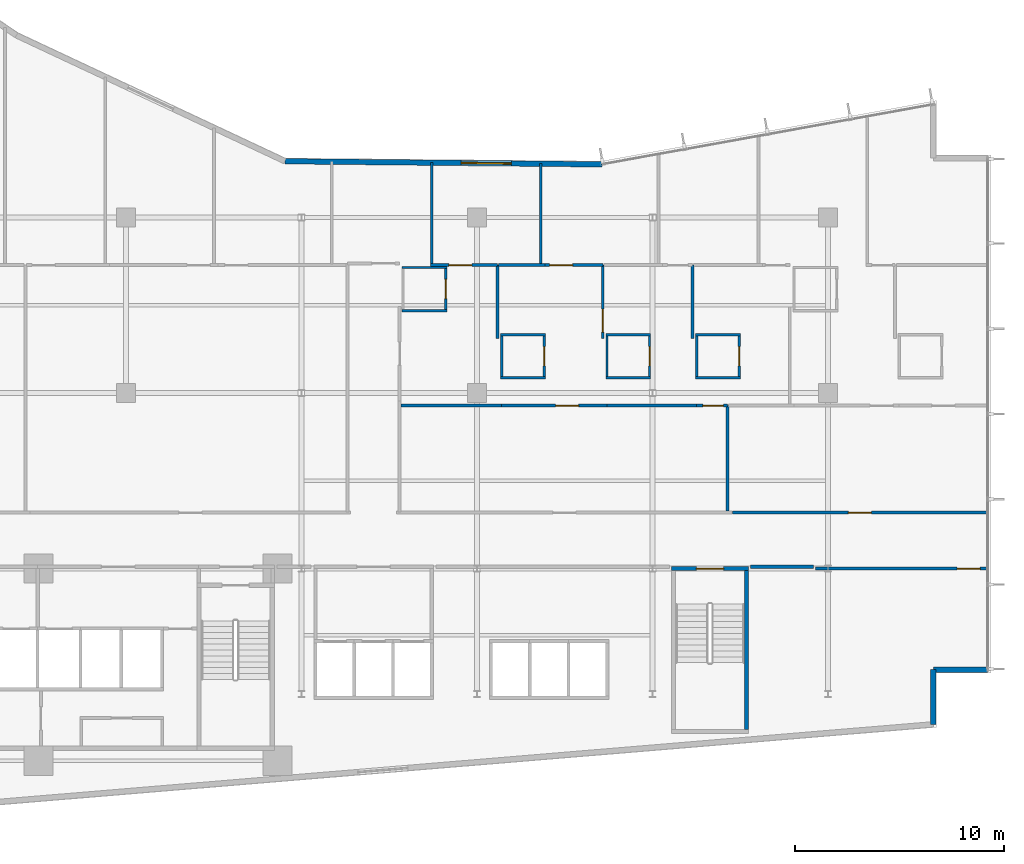
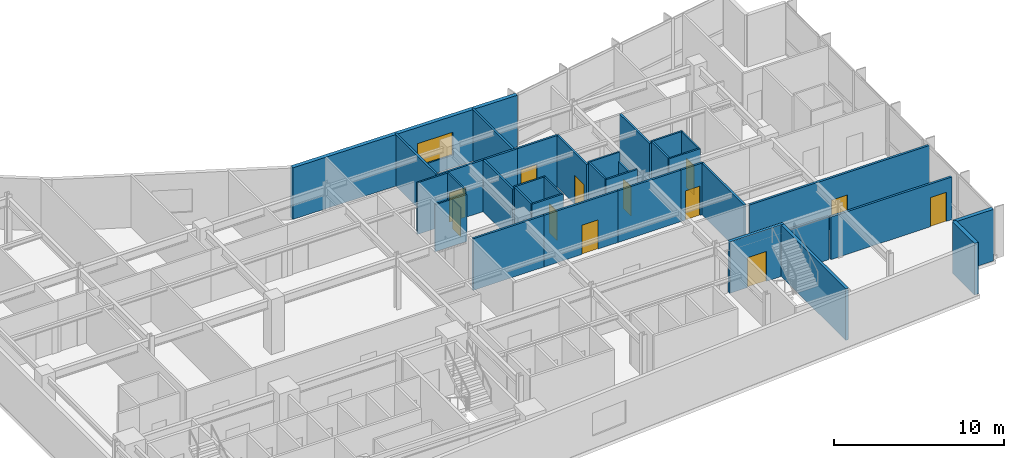
# One storey, part 15 of 22: 36 walls, 12 doors, 1 window, 13 openings.
"""IFC4 building model written with IfcOpenShell, lengths in metres."""

from ifc_helpers import new_model, si_unit, direction, frame, frame_2d, origin, place, context, subcontext, project, spatial, rectangle, extrude, material, layer, layer_set, type_object, element, fill, save


model = new_model("IFC4")

# Units and contexts
model_context = context("Model", 3, precision=1e-05, world=origin(), true_north=direction((0.0, 1.0)))
body_context = subcontext(model_context, "Body", "Model", "MODEL_VIEW")
ifc_project = project(units=[si_unit("LENGTHUNIT", "METRE"), si_unit("AREAUNIT", "SQUARE_METRE"), si_unit("VOLUMEUNIT", "CUBIC_METRE"), si_unit("PLANEANGLEUNIT", "RADIAN"), si_unit("MASSUNIT", "GRAM", prefix="KILO")], contexts=[model_context])

# Site, building, storey
site_placement = place(None, origin())
site = spatial("IfcSite", under=ifc_project, at=site_placement, CompositionType="ELEMENT")
building_placement = place(site_placement, origin())
building = spatial("IfcBuilding", under=site, at=building_placement, Name="Varnakote Quay Hospital", CompositionType="ELEMENT")
storey_placement = place(building_placement, frame((0.0, 0.0, 62.0)))
storey = spatial("IfcBuildingStorey", under=building, at=storey_placement, Name="L15", CompositionType="ELEMENT", Elevation=62.0)

# Walls
ifc_material_1 = material(Name="Fire-rated acoustic gypsum stud wall", Category="gypsum")
ifc_layer_1 = layer(ifc_material_1, 0.159912109375)
ifc_layer_set_1 = layer_set([ifc_layer_1], Name="Fire-rated acoustic gypsum stud wall")
wall_type_1 = type_object("IfcWallType", Name="WL-COMP-160", PredefinedType="PARTITIONING", material=ifc_layer_set_1)
wall_1_placement = place(storey_placement, frame((46.689208984375, 12.080078125, 0.0), z_axis=(0.0, 0.0, 1.0), x_axis=(1.0, 0.0, 0.0)))
element("IfcWall", 1, at=wall_1_placement, inside=storey, type_object=wall_type_1, Name="L15 Corridor South Gap Wall", PredefinedType="PARTITIONING", context=body_context, shape_type="SweptSolid", body=[
    extrude(rectangle(XDim=3.0107421875, YDim=0.159912109375, at=frame_2d((1.50537109375, 0.0))), origin(), (0.0, 0.0, 1.0), 3.072998046875),
])
ifc_material_2 = material(Name="Moisture-resistant bathroom partition", Category="gypsum")
ifc_layer_2 = layer(ifc_material_2, 0.114990234375)
ifc_layer_set_2 = layer_set([ifc_layer_2], Name="Moisture-resistant bathroom partition")
wall_type_2 = type_object("IfcWallType", Name="WL-ENS-115", PredefinedType="PARTITIONING", material=ifc_layer_set_2)
wall_2_placement = place(storey_placement, frame((30.0048828125, 24.342529296875, 0.0), z_axis=(0.0, 0.0, 1.0), x_axis=(1.0, 0.0, 0.0)))
element("IfcWall", 2, at=wall_2_placement, inside=storey, type_object=wall_type_2, Name="L15 Inpatient En-Suite Bathroom 01 S Wall", PredefinedType="PARTITIONING", context=body_context, shape_type="SweptSolid", body=[
    extrude(rectangle(XDim=2.150146484375, YDim=0.114990234375, at=frame_2d((1.0751953125, 0.0))), origin(), (0.0, 0.0, 1.0), 3.381103515625),
])
wall_3_placement = place(storey_placement, frame((30.0048828125, 26.407470703125, 0.0), z_axis=(0.0, 0.0, 1.0), x_axis=(1.0, 0.0, 0.0)))
element("IfcWall", 3, at=wall_3_placement, inside=storey, type_object=wall_type_2, Name="L15 Inpatient En-Suite Bathroom 01 N Wall", PredefinedType="PARTITIONING", context=body_context, shape_type="SweptSolid", body=[
    extrude(rectangle(XDim=2.150146484375, YDim=0.114990234375, at=frame_2d((1.0751953125, 0.0))), origin(), (0.0, 0.0, 1.0), 3.7099609375),
])

# Wall, opening, door
wall_4_placement = place(storey_placement, frame((32.097412109375, 24.39990234375, 0.0), z_axis=(0.0, 0.0, 1.0), x_axis=(0.0, 1.0, 0.0)))
wall_4 = element("IfcWall", 4, at=wall_4_placement, inside=storey, type_object=wall_type_2, Name="L15 Inpatient En-Suite Bathroom 01 E Wall", PredefinedType="PARTITIONING", context=body_context, shape_type="SweptSolid", body=[
    extrude(rectangle(XDim=1.9501953125, YDim=0.114990234375, at=frame_2d((0.97509765625, 0.0))), origin(), (0.0, 0.0, 1.0), 3.7099609375),
])
opening_1_placement = place(wall_4_placement, frame((0.514892578125, 0.0, 0.0)))
opening_1 = element("IfcOpeningElement", 5, at=opening_1_placement, cuts=wall_4, Name="Opening D-L15-ENS01", PredefinedType="OPENING", context=body_context, shape_type="SweptSolid", body=[
    extrude(rectangle(XDim=0.919921875, YDim=2.10009765625, at=frame_2d((0.4599609375, 1.050048828125))), frame((0.0, 0.0673828125, 0.0), z_axis=(0.0, -1.0, 0.0), x_axis=(1.0, 0.0, 0.0)), (0.0, 0.0, 1.0), 0.135009765625),
])
ifc_material_3 = material(Name="Moisture-sealed en-suite bathroom door")
door_type_1 = type_object("IfcDoorType", Name="DR-ENS-920x2100", OperationType="NOTDEFINED", PredefinedType="DOOR", material=ifc_material_3)
door_1_placement = place(opening_1_placement, origin())
door_1 = element("IfcDoor", 6, at=door_1_placement, inside=storey, type_object=door_type_1, Name="L15 Inpatient En-Suite Bathroom 01 Door", OperationType="SINGLE_SWING_LEFT", OverallHeight=2.10009765625, OverallWidth=0.919921875, PredefinedType="DOOR", context=body_context, shape_type="SweptSolid", body=[
    extrude(rectangle(XDim=0.919921875, YDim=2.10009765625, at=frame_2d((0.4599609375, 1.050048828125))), frame((0.0, 0.02490234375, 0.0), z_axis=(0.0, -1.0, 0.0), x_axis=(1.0, 0.0, 0.0)), (0.0, 0.0, 1.0), 0.050048828125),
])
fill(opening_1, door_1)

# Walls
for number, where, z_axis, x_axis, name in (
    (7, (34.72509765625, 21.132568359375, 0.0), (0.0, 0.0, 1.0), (1.0, 0.0, 0.0), "L15 Inpatient En-Suite Bathroom 02 S Wall"),
    (8, (34.72509765625, 23.197509765625, 0.0), (0.0, 0.0, 1.0), (1.0, 0.0, 0.0), "L15 Inpatient En-Suite Bathroom 02 N Wall"),
):
    element("IfcWall", number, at=place(storey_placement, frame(where, z_axis=z_axis, x_axis=x_axis)), inside=storey, type_object=wall_type_2, Name=name, PredefinedType="PARTITIONING", context=body_context, shape_type="SweptSolid", body=[
        extrude(rectangle(XDim=2.14990234375, YDim=0.114990234375, at=frame_2d((1.074951171875, 0.0))), origin(), (0.0, 0.0, 1.0), 3.7099609375),
    ])
wall_5_placement = place(storey_placement, frame((34.782470703125, 21.18994140625, 0.0), z_axis=(0.0, 0.0, 1.0), x_axis=(0.0, 1.0, 0.0)))
element("IfcWall", 9, at=wall_5_placement, inside=storey, type_object=wall_type_2, Name="L15 Inpatient En-Suite Bathroom 02 W Wall", PredefinedType="PARTITIONING", context=body_context, shape_type="SweptSolid", body=[
    extrude(rectangle(XDim=1.949951171875, YDim=0.114990234375, at=frame_2d((0.97509765625, 0.0))), origin(), (0.0, 0.0, 1.0), 3.7099609375),
])

# Wall, opening, door
wall_6_placement = place(storey_placement, frame((36.8173828125, 21.18994140625, 0.0), z_axis=(0.0, 0.0, 1.0), x_axis=(0.0, 1.0, 0.0)))
wall_6 = element("IfcWall", 10, at=wall_6_placement, inside=storey, type_object=wall_type_2, Name="L15 Inpatient En-Suite Bathroom 02 E Wall", PredefinedType="PARTITIONING", context=body_context, shape_type="SweptSolid", body=[
    extrude(rectangle(XDim=1.949951171875, YDim=0.114990234375, at=frame_2d((0.97509765625, 0.0))), origin(), (0.0, 0.0, 1.0), 3.7099609375),
])
opening_2_placement = place(wall_6_placement, frame((0.514892578125, 0.0, 0.0)))
opening_2 = element("IfcOpeningElement", 11, at=opening_2_placement, cuts=wall_6, Name="Opening D-L15-ENS02", PredefinedType="OPENING", context=body_context, shape_type="SweptSolid", body=[
    extrude(rectangle(XDim=0.919921875, YDim=2.10009765625, at=frame_2d((0.4599609375, 1.050048828125))), frame((0.0, 0.0673828125, 0.0), z_axis=(0.0, -1.0, 0.0), x_axis=(1.0, 0.0, 0.0)), (0.0, 0.0, 1.0), 0.135009765625),
])
door_2_placement = place(opening_2_placement, origin())
door_2 = element("IfcDoor", 12, at=door_2_placement, inside=storey, type_object=door_type_1, Name="L15 Inpatient En-Suite Bathroom 02 Door", OperationType="SINGLE_SWING_RIGHT", OverallHeight=2.10009765625, OverallWidth=0.919921875, PredefinedType="DOOR", context=body_context, shape_type="SweptSolid", body=[
    extrude(rectangle(XDim=0.919921875, YDim=2.10009765625, at=frame_2d((0.4599609375, 1.050048828125))), frame((0.0, 0.02490234375, 0.0), z_axis=(0.0, -1.0, 0.0), x_axis=(1.0, 0.0, 0.0)), (0.0, 0.0, 1.0), 0.050048828125),
])
fill(opening_2, door_2)

# Walls
for number, where, z_axis, x_axis, name in (
    (13, (39.764892578125, 21.132568359375, 0.0), (0.0, 0.0, 1.0), (1.0, 0.0, 0.0), "L15 Inpatient En-Suite Bathroom 03 S Wall"),
    (14, (39.764892578125, 23.197509765625, 0.0), (0.0, 0.0, 1.0), (1.0, 0.0, 0.0), "L15 Inpatient En-Suite Bathroom 03 N Wall"),
):
    element("IfcWall", number, at=place(storey_placement, frame(where, z_axis=z_axis, x_axis=x_axis)), inside=storey, type_object=wall_type_2, Name=name, PredefinedType="PARTITIONING", context=body_context, shape_type="SweptSolid", body=[
        extrude(rectangle(XDim=2.150146484375, YDim=0.114990234375, at=frame_2d((1.0751953125, 0.0))), origin(), (0.0, 0.0, 1.0), 3.7099609375),
    ])
wall_7_placement = place(storey_placement, frame((39.822509765625, 21.18994140625, 0.0), z_axis=(0.0, 0.0, 1.0), x_axis=(0.0, 1.0, 0.0)))
element("IfcWall", 15, at=wall_7_placement, inside=storey, type_object=wall_type_2, Name="L15 Inpatient En-Suite Bathroom 03 W Wall", PredefinedType="PARTITIONING", context=body_context, shape_type="SweptSolid", body=[
    extrude(rectangle(XDim=1.949951171875, YDim=0.114990234375, at=frame_2d((0.97509765625, 0.0))), origin(), (0.0, 0.0, 1.0), 3.7099609375),
])

# Wall, opening, door
wall_8_placement = place(storey_placement, frame((41.857421875, 21.18994140625, 0.0), z_axis=(0.0, 0.0, 1.0), x_axis=(0.0, 1.0, 0.0)))
wall_8 = element("IfcWall", 16, at=wall_8_placement, inside=storey, type_object=wall_type_2, Name="L15 Inpatient En-Suite Bathroom 03 E Wall", PredefinedType="PARTITIONING", context=body_context, shape_type="SweptSolid", body=[
    extrude(rectangle(XDim=1.949951171875, YDim=0.114990234375, at=frame_2d((0.97509765625, 0.0))), origin(), (0.0, 0.0, 1.0), 3.072998046875),
])
opening_3_placement = place(wall_8_placement, frame((0.514892578125, 0.0, 0.0)))
opening_3 = element("IfcOpeningElement", 17, at=opening_3_placement, cuts=wall_8, Name="Opening D-L15-ENS03", PredefinedType="OPENING", context=body_context, shape_type="SweptSolid", body=[
    extrude(rectangle(XDim=0.919921875, YDim=2.10009765625, at=frame_2d((0.4599609375, 1.050048828125))), frame((0.0, 0.0673828125, 0.0), z_axis=(0.0, -1.0, 0.0), x_axis=(1.0, 0.0, 0.0)), (0.0, 0.0, 1.0), 0.135009765625),
])
door_3_placement = place(opening_3_placement, origin())
door_3 = element("IfcDoor", 18, at=door_3_placement, inside=storey, type_object=door_type_1, Name="L15 Inpatient En-Suite Bathroom 03 Door", OperationType="SINGLE_SWING_LEFT", OverallHeight=2.10009765625, OverallWidth=0.919921875, PredefinedType="DOOR", context=body_context, shape_type="SweptSolid", body=[
    extrude(rectangle(XDim=0.919921875, YDim=2.10009765625, at=frame_2d((0.4599609375, 1.050048828125))), frame((0.0, 0.02490234375, 0.0), z_axis=(0.0, -1.0, 0.0), x_axis=(1.0, 0.0, 0.0)), (0.0, 0.0, 1.0), 0.050048828125),
])
fill(opening_3, door_3)

# Walls
for number, where, z_axis, x_axis, name in (
    (19, (44.054931640625, 21.132568359375, 0.0), (0.0, 0.0, 1.0), (1.0, 0.0, 0.0), "L15 Inpatient En-Suite Bathroom 04 S Wall"),
    (20, (44.054931640625, 23.197509765625, 0.0), (0.0, 0.0, 1.0), (1.0, 0.0, 0.0), "L15 Inpatient En-Suite Bathroom 04 N Wall"),
):
    element("IfcWall", number, at=place(storey_placement, frame(where, z_axis=z_axis, x_axis=x_axis)), inside=storey, type_object=wall_type_2, Name=name, PredefinedType="PARTITIONING", context=body_context, shape_type="SweptSolid", body=[
        extrude(rectangle(XDim=2.150146484375, YDim=0.114990234375, at=frame_2d((1.0751953125, 0.0))), origin(), (0.0, 0.0, 1.0), 3.7099609375),
    ])
wall_9_placement = place(storey_placement, frame((44.112548828125, 21.18994140625, 0.0), z_axis=(0.0, 0.0, 1.0), x_axis=(0.0, 1.0, 0.0)))
element("IfcWall", 21, at=wall_9_placement, inside=storey, type_object=wall_type_2, Name="L15 Inpatient En-Suite Bathroom 04 W Wall", PredefinedType="PARTITIONING", context=body_context, shape_type="SweptSolid", body=[
    extrude(rectangle(XDim=1.949951171875, YDim=0.114990234375, at=frame_2d((0.97509765625, 0.0))), origin(), (0.0, 0.0, 1.0), 3.7099609375),
])

# Wall, opening, door
wall_10_placement = place(storey_placement, frame((46.1474609375, 21.18994140625, 0.0), z_axis=(0.0, 0.0, 1.0), x_axis=(0.0, 1.0, 0.0)))
wall_10 = element("IfcWall", 22, at=wall_10_placement, inside=storey, type_object=wall_type_2, Name="L15 Inpatient En-Suite Bathroom 04 E Wall", PredefinedType="PARTITIONING", context=body_context, shape_type="SweptSolid", body=[
    extrude(rectangle(XDim=1.949951171875, YDim=0.114990234375, at=frame_2d((0.97509765625, 0.0))), origin(), (0.0, 0.0, 1.0), 3.7099609375),
])
opening_4_placement = place(wall_10_placement, frame((0.514892578125, 0.0, 0.0)))
opening_4 = element("IfcOpeningElement", 23, at=opening_4_placement, cuts=wall_10, Name="Opening D-L15-ENS04", PredefinedType="OPENING", context=body_context, shape_type="SweptSolid", body=[
    extrude(rectangle(XDim=0.919921875, YDim=2.10009765625, at=frame_2d((0.4599609375, 1.050048828125))), frame((0.0, 0.0673828125, 0.0), z_axis=(0.0, -1.0, 0.0), x_axis=(1.0, 0.0, 0.0)), (0.0, 0.0, 1.0), 0.135009765625),
])
door_4_placement = place(opening_4_placement, origin())
door_4 = element("IfcDoor", 24, at=door_4_placement, inside=storey, type_object=door_type_1, Name="L15 Inpatient En-Suite Bathroom 04 Door", OperationType="SINGLE_SWING_RIGHT", OverallHeight=2.10009765625, OverallWidth=0.919921875, PredefinedType="DOOR", context=body_context, shape_type="SweptSolid", body=[
    extrude(rectangle(XDim=0.919921875, YDim=2.10009765625, at=frame_2d((0.4599609375, 1.050048828125))), frame((0.0, 0.02490234375, 0.0), z_axis=(0.0, -1.0, 0.0), x_axis=(1.0, 0.0, 0.0)), (0.0, 0.0, 1.0), 0.050048828125),
])
fill(opening_4, door_4)

# Walls
ifc_material_4 = material(Name="Precast concrete N50 (f'c 50 MPa)", Category="concrete")
ifc_layer_3 = layer(ifc_material_4, 0.260009765625)
ifc_layer_set_3 = layer_set([ifc_layer_3], Name="Precast concrete N50 (f'c 50 MPa)")
wall_type_3 = type_object("IfcWallType", Name="WL-EXT-BRICK-260", PredefinedType="STANDARD", material=ifc_layer_set_3)
wall_11_placement = place(storey_placement, frame((55.43994140625, 4.54736328125, 0.0), z_axis=(0.0, 0.0, 1.0), x_axis=(0.0, 1.0, 0.0)))
element("IfcWall", 25, at=wall_11_placement, inside=storey, type_object=wall_type_3, Name="L15 Brick-Faced Precast Exterior Wall", PredefinedType="STANDARD", context=body_context, shape_type="SweptSolid", body=[
    extrude(rectangle(XDim=2.612548828125, YDim=0.260009765625, at=frame_2d((1.30615234375, 0.0))), origin(), (0.0, 0.0, 1.0), 3.7099609375),
])
wall_12_placement = place(storey_placement, frame((55.43994140625, 7.159912109375, 0.0), z_axis=(0.0, 0.0, 1.0), x_axis=(1.0, 0.0, 0.0)))
element("IfcWall", 26, at=wall_12_placement, inside=storey, type_object=wall_type_3, Name="L15 Brick-Faced Precast Exterior Wall", PredefinedType="STANDARD", context=body_context, shape_type="SweptSolid", body=[
    extrude(rectangle(XDim=2.60009765625, YDim=0.260009765625, at=frame_2d((1.300048828125, 0.0))), origin(), (0.0, 0.0, 1.0), 3.7099609375),
])

# Wall, opening, window
wall_13_placement = place(storey_placement, frame((39.589599609375, 31.343994140625, 0.0), z_axis=(0.0, 0.0, 1.0), x_axis=(-0.999952362926, 0.009760731435, 0.0)))
wall_13 = element("IfcWall", 27, at=wall_13_placement, inside=storey, type_object=wall_type_3, Name="L15 Brick-Faced Precast Exterior Wall", PredefinedType="STANDARD", context=body_context, shape_type="SweptSolid", body=[
    extrude(rectangle(XDim=15.1826171875, YDim=0.260009765625, at=frame_2d((7.59130859375, 0.0))), origin(), (0.0, 0.0, 1.0), 3.7099609375),
])
opening_5_placement = place(wall_13_placement, frame((4.344970703125, 0.0, 0.89990234375)))
opening_5 = element("IfcOpeningElement", 28, at=opening_5_placement, cuts=wall_13, Name="Opening WN-0075", PredefinedType="OPENING", context=body_context, shape_type="SweptSolid", body=[
    extrude(rectangle(XDim=2.39990234375, YDim=1.64990234375, at=frame_2d((1.199951171875, 0.824951171875))), frame((0.0, 0.139892578125, 0.0), z_axis=(0.0, -1.0, 0.0), x_axis=(1.0, 0.0, 0.0)), (0.0, 0.0, 1.0), 0.280029296875),
])
ifc_material_5 = material(Name="Double-glazed low-E solar glass", Category="glass")
window_type = type_object("IfcWindowType", Name="WIN-CLIN-2400x1650", PartitioningType="SINGLE_PANEL", PredefinedType="WINDOW", material=ifc_material_5)
window_placement = place(opening_5_placement, origin())
window = element("IfcWindow", 29, at=window_placement, inside=storey, type_object=window_type, Name="L15 Solar-Control Clinical Window", OverallHeight=1.64990234375, OverallWidth=2.39990234375, PartitioningType="SINGLE_PANEL", PredefinedType="WINDOW", context=body_context, shape_type="SweptSolid", body=[
    extrude(rectangle(XDim=2.39990234375, YDim=1.64990234375, at=frame_2d((1.199951171875, 0.824951171875))), frame((0.0, 0.030029296875, 0.0), z_axis=(0.0, -1.0, 0.0), x_axis=(1.0, 0.0, 0.0)), (0.0, 0.0, 1.0), 0.06005859375),
])
fill(opening_5, window)

# Wall
ifc_material_6 = material(Name="Concrete N50 (f'c 50 MPa)", Category="concrete")
ifc_layer_4 = layer(ifc_material_6, 0.199951171875)
ifc_layer_set_4 = layer_set([ifc_layer_4], Name="Concrete N50 (f'c 50 MPa)")
wall_type_4 = type_object("IfcWallType", Name="WL-SHAFT-N50-200", PredefinedType="SHEAR", material=ifc_layer_set_4)
wall_14_placement = place(storey_placement, frame((46.5, 4.300048828125, 0.0), z_axis=(0.0, 0.0, 1.0), x_axis=(0.0, 1.0, 0.0)))
element("IfcWall", 30, at=wall_14_placement, inside=storey, type_object=wall_type_4, Name="L15 Stair ST3 East Shaft Wall", PredefinedType="SHEAR", context=body_context, shape_type="SweptSolid", body=[
    extrude(rectangle(XDim=7.599853515625, YDim=0.199951171875, at=frame_2d((3.7998046875, 0.0))), origin(), (0.0, 0.0, 1.0), 3.7099609375),
])

# Wall, opening, door
wall_15_placement = place(storey_placement, frame((42.89990234375, 12.0, 0.0), z_axis=(0.0, 0.0, 1.0), x_axis=(1.0, 0.0, 0.0)))
wall_15 = element("IfcWall", 31, at=wall_15_placement, inside=storey, type_object=wall_type_4, Name="L15 Stair ST3 Exit Wall", PredefinedType="SHEAR", context=body_context, shape_type="SweptSolid", body=[
    extrude(rectangle(XDim=3.7001953125, YDim=0.199951171875, at=frame_2d((1.85009765625, 0.0))), origin(), (0.0, 0.0, 1.0), 3.7099609375),
])
opening_6_placement = place(wall_15_placement, frame((1.199951171875, 0.0, 0.0)))
opening_6 = element("IfcOpeningElement", 32, at=opening_6_placement, cuts=wall_15, Name="Opening D-ST3-L15", PredefinedType="OPENING", context=body_context, shape_type="SweptSolid", body=[
    extrude(rectangle(XDim=1.300048828125, YDim=2.14990234375, at=frame_2d((0.64990234375, 1.074951171875))), frame((0.0, 0.10986328125, 0.0), z_axis=(0.0, -1.0, 0.0), x_axis=(1.0, 0.0, 0.0)), (0.0, 0.0, 1.0), 0.219970703125),
])
ifc_material_7 = material(Name="Fire-rated ceramic-glazed timber exit door", Category="wood")
door_type_2 = type_object("IfcDoorType", Name="DR-STAIR-FD60S-1300x2150", OperationType="NOTDEFINED", PredefinedType="DOOR", material=ifc_material_7)
door_5_placement = place(opening_6_placement, origin())
door_5 = element("IfcDoor", 33, at=door_5_placement, inside=storey, type_object=door_type_2, Name="L15 Stair ST3 Fire Exit Door", OperationType="SINGLE_SWING_RIGHT", OverallHeight=2.14990234375, OverallWidth=1.300048828125, PredefinedType="DOOR", context=body_context, shape_type="SweptSolid", body=[
    extrude(rectangle(XDim=1.300048828125, YDim=2.14990234375, at=frame_2d((0.64990234375, 1.074951171875))), frame((0.0, 0.02490234375, 0.0), z_axis=(0.0, -1.0, 0.0), x_axis=(1.0, 0.0, 0.0)), (0.0, 0.0, 1.0), 0.050048828125),
])
fill(opening_6, door_5)

# Walls
ifc_material_8 = material(Name="Smoke-proof clinical partition", Category="gypsum")
ifc_layer_5 = layer(ifc_material_8, 0.135009765625)
ifc_layer_set_5 = layer_set([ifc_layer_5], Name="Smoke-proof clinical partition")
wall_type_5 = type_object("IfcWallType", Name="WL-SMOKE-135", PredefinedType="PARTITIONING", material=ifc_layer_set_5)
wall_16_placement = place(storey_placement, frame((45.590087890625, 14.760009765625, 0.0), z_axis=(0.0, 0.0, 1.0), x_axis=(0.0, 1.0, 0.0)))
element("IfcWall", 34, at=wall_16_placement, inside=storey, type_object=wall_type_5, Name="L15 Clinical Interior Partition", PredefinedType="PARTITIONING", context=body_context, shape_type="SweptSolid", body=[
    extrude(rectangle(XDim=5.0400390625, YDim=0.135009765625, at=frame_2d((2.52001953125, 0.0))), origin(), (0.0, 0.0, 1.0), 3.7099609375),
])
wall_17_placement = place(storey_placement, frame((34.774658203125, 19.800048828125, 0.0), z_axis=(0.0, 0.0, 1.0), x_axis=(-1.0, 0.0, 0.0)))
element("IfcWall", 35, at=wall_17_placement, inside=storey, type_object=wall_type_5, Name="L15 Clinical Interior Partition", PredefinedType="PARTITIONING", context=body_context, shape_type="SweptSolid", body=[
    extrude(rectangle(XDim=4.8095703125, YDim=0.135009765625, at=frame_2d((2.40478515625, 0.0))), origin(), (0.0, 0.0, 1.0), 3.7099609375),
])

# Wall, opening, door
wall_18_placement = place(storey_placement, frame((39.814697265625, 19.800048828125, 0.0), z_axis=(0.0, 0.0, 1.0), x_axis=(-1.0, 0.0, 0.0)))
wall_18 = element("IfcWall", 36, at=wall_18_placement, inside=storey, type_object=wall_type_5, Name="L15 Clinical Interior Partition", PredefinedType="PARTITIONING", context=body_context, shape_type="SweptSolid", body=[
    extrude(rectangle(XDim=5.0380859375, YDim=0.135009765625, at=frame_2d((2.51904296875, 0.0))), origin(), (0.0, 0.0, 1.0), 3.7099609375),
])
opening_7_placement = place(wall_18_placement, frame((1.349853515625, 0.0, 0.0)))
opening_7 = element("IfcOpeningElement", 37, at=opening_7_placement, cuts=wall_18, Name="Opening D-L15-BR02", PredefinedType="OPENING", context=body_context, shape_type="SweptSolid", body=[
    extrude(rectangle(XDim=1.10009765625, YDim=2.10009765625, at=frame_2d((0.550048828125, 1.050048828125))), frame((0.0, 0.077392578125, 0.0), z_axis=(0.0, -1.0, 0.0), x_axis=(1.0, 0.0, 0.0)), (0.0, 0.0, 1.0), 0.155029296875),
])
ifc_material_9 = material(Name="Acoustic timber clinical consult door", Category="wood")
door_type_3 = type_object("IfcDoorType", Name="DR-CLIN-FD30S-1100x2100", OperationType="NOTDEFINED", PredefinedType="DOOR", material=ifc_material_9)
door_6_placement = place(opening_7_placement, origin())
door_6 = element("IfcDoor", 38, at=door_6_placement, inside=storey, type_object=door_type_3, Name="L15 Inpatient Clinical Treatment Room 02 Door", OperationType="SINGLE_SWING_RIGHT", OverallHeight=2.10009765625, OverallWidth=1.10009765625, PredefinedType="DOOR", context=body_context, shape_type="SweptSolid", body=[
    extrude(rectangle(XDim=1.10009765625, YDim=2.10009765625, at=frame_2d((0.550048828125, 1.050048828125))), frame((0.0, 0.02490234375, 0.0), z_axis=(0.0, -1.0, 0.0), x_axis=(1.0, 0.0, 0.0)), (0.0, 0.0, 1.0), 0.050048828125),
])
fill(opening_7, door_6)

# Wall
wall_19_placement = place(storey_placement, frame((44.1044921875, 19.800048828125, 0.0), z_axis=(0.0, 0.0, 1.0), x_axis=(-1.0, 0.0, 0.0)))
element("IfcWall", 39, at=wall_19_placement, inside=storey, type_object=wall_type_5, Name="L15 Clinical Interior Partition", PredefinedType="PARTITIONING", context=body_context, shape_type="SweptSolid", body=[
    extrude(rectangle(XDim=4.287841796875, YDim=0.135009765625, at=frame_2d((2.14404296875, 0.0))), origin(), (0.0, 0.0, 1.0), 3.7099609375),
])

# Wall, opening, door
wall_20_placement = place(storey_placement, frame((45.590087890625, 19.800048828125, 0.0), z_axis=(0.0, 0.0, 1.0), x_axis=(-1.0, 0.0, 0.0)))
wall_20 = element("IfcWall", 40, at=wall_20_placement, inside=storey, type_object=wall_type_5, Name="L15 Clinical Interior Partition", PredefinedType="PARTITIONING", context=body_context, shape_type="SweptSolid", body=[
    extrude(rectangle(XDim=1.4833984375, YDim=0.135009765625, at=frame_2d((0.74169921875, 0.0))), origin(), (0.0, 0.0, 1.0), 3.7099609375),
])
opening_8_placement = place(wall_20_placement, frame((0.20263671875, 0.0, 0.0)))
opening_8 = element("IfcOpeningElement", 41, at=opening_8_placement, cuts=wall_20, Name="Opening D-L15-BR04", PredefinedType="OPENING", context=body_context, shape_type="SweptSolid", body=[
    extrude(rectangle(XDim=0.97998046875, YDim=2.10009765625, at=frame_2d((0.489990234375, 1.050048828125))), frame((0.0, 0.077392578125, 0.0), z_axis=(0.0, -1.0, 0.0), x_axis=(1.0, 0.0, 0.0)), (0.0, 0.0, 1.0), 0.155029296875),
])
ifc_material_10 = material(Name="Accessible sanitary compartment door")
door_type_4 = type_object("IfcDoorType", Name="DR-WC-980x2100", OperationType="NOTDEFINED", PredefinedType="DOOR", material=ifc_material_10)
door_7_placement = place(opening_8_placement, origin())
door_7 = element("IfcDoor", 42, at=door_7_placement, inside=storey, type_object=door_type_4, Name="L15 Inpatient Clinical Treatment Room 04 Door", OperationType="SINGLE_SWING_LEFT", OverallHeight=2.10009765625, OverallWidth=0.97998046875, PredefinedType="DOOR", context=body_context, shape_type="SweptSolid", body=[
    extrude(rectangle(XDim=0.97998046875, YDim=2.10009765625, at=frame_2d((0.489990234375, 1.050048828125))), frame((0.0, 0.02490234375, 0.0), z_axis=(0.0, -1.0, 0.0), x_axis=(1.0, 0.0, 0.0)), (0.0, 0.0, 1.0), 0.050048828125),
])
fill(opening_8, door_7)

# Wall
wall_21_placement = place(storey_placement, frame((34.580078125, 23.012451171875, 0.0), z_axis=(0.0, 0.0, 1.0), x_axis=(0.0, 1.0, 0.0)))
element("IfcWall", 43, at=wall_21_placement, inside=storey, type_object=wall_type_5, Name="L15 Clinical Interior Partition", PredefinedType="PARTITIONING", context=body_context, shape_type="SweptSolid", body=[
    extrude(rectangle(XDim=3.507568359375, YDim=0.135009765625, at=frame_2d((1.75390625, 0.0))), origin(), (0.0, 0.0, 1.0), 3.7099609375),
])

# Wall, opening, door
wall_22_placement = place(storey_placement, frame((34.580078125, 26.52001953125, 0.0), z_axis=(0.0, 0.0, 1.0), x_axis=(-1.0, 0.0, 0.0)))
wall_22 = element("IfcWall", 44, at=wall_22_placement, inside=storey, type_object=wall_type_5, Name="L15 Clinical Interior Partition", PredefinedType="PARTITIONING", context=body_context, shape_type="SweptSolid", body=[
    extrude(rectangle(XDim=3.214599609375, YDim=0.135009765625, at=frame_2d((1.607421875, 0.0))), origin(), (0.0, 0.0, 1.0), 3.7099609375),
])
opening_9_placement = place(wall_22_placement, frame((1.228759765625, 0.0, 0.0)))
opening_9 = element("IfcOpeningElement", 45, at=opening_9_placement, cuts=wall_22, Name="Opening D-L15-MD10", PredefinedType="OPENING", context=body_context, shape_type="SweptSolid", body=[
    extrude(rectangle(XDim=1.10009765625, YDim=2.10009765625, at=frame_2d((0.550048828125, 1.050048828125))), frame((0.0, 0.077392578125, 0.0), z_axis=(0.0, -1.0, 0.0), x_axis=(1.0, 0.0, 0.0)), (0.0, 0.0, 1.0), 0.155029296875),
])
door_8_placement = place(opening_9_placement, origin())
door_8 = element("IfcDoor", 46, at=door_8_placement, inside=storey, type_object=door_type_3, Name="L15 Staff Clinical Handover Office Door", OperationType="SINGLE_SWING_RIGHT", OverallHeight=2.10009765625, OverallWidth=1.10009765625, PredefinedType="DOOR", context=body_context, shape_type="SweptSolid", body=[
    extrude(rectangle(XDim=1.10009765625, YDim=2.10009765625, at=frame_2d((0.550048828125, 1.050048828125))), frame((0.0, 0.02490234375, 0.0), z_axis=(0.0, -1.0, 0.0), x_axis=(1.0, 0.0, 0.0)), (0.0, 0.0, 1.0), 0.050048828125),
])
fill(opening_9, door_8)

wall_23_placement = place(storey_placement, frame((39.6201171875, 23.012451171875, 0.0), z_axis=(0.0, 0.0, 1.0), x_axis=(0.0, 1.0, 0.0)))
wall_23 = element("IfcWall", 47, at=wall_23_placement, inside=storey, type_object=wall_type_5, Name="L15 Clinical Interior Partition", PredefinedType="PARTITIONING", context=body_context, shape_type="SweptSolid", body=[
    extrude(rectangle(XDim=3.507568359375, YDim=0.135009765625, at=frame_2d((1.75390625, 0.0))), origin(), (0.0, 0.0, 1.0), 3.7099609375),
])
opening_10_placement = place(wall_23_placement, frame((0.30029296875, 0.0, 0.0)))
opening_10 = element("IfcOpeningElement", 48, at=opening_10_placement, cuts=wall_23, Name="Opening D-L15-BR03", PredefinedType="OPENING", context=body_context, shape_type="SweptSolid", body=[
    extrude(rectangle(XDim=1.10009765625, YDim=2.10009765625, at=frame_2d((0.550048828125, 1.050048828125))), frame((0.0, 0.077392578125, 0.0), z_axis=(0.0, -1.0, 0.0), x_axis=(1.0, 0.0, 0.0)), (0.0, 0.0, 1.0), 0.155029296875),
])
door_9_placement = place(opening_10_placement, origin())
door_9 = element("IfcDoor", 49, at=door_9_placement, inside=storey, type_object=door_type_3, Name="L15 Inpatient Clinical Treatment Room 03 Door", OperationType="SINGLE_SWING_LEFT", OverallHeight=2.10009765625, OverallWidth=1.10009765625, PredefinedType="DOOR", context=body_context, shape_type="SweptSolid", body=[
    extrude(rectangle(XDim=1.10009765625, YDim=2.10009765625, at=frame_2d((0.550048828125, 1.050048828125))), frame((0.0, 0.02490234375, 0.0), z_axis=(0.0, -1.0, 0.0), x_axis=(1.0, 0.0, 0.0)), (0.0, 0.0, 1.0), 0.050048828125),
])
fill(opening_10, door_9)

# Wall
wall_24_placement = place(storey_placement, frame((36.844482421875, 26.52001953125, 0.0), z_axis=(0.0, 0.0, 1.0), x_axis=(-1.0, 0.0, 0.0)))
element("IfcWall", 50, at=wall_24_placement, inside=storey, type_object=wall_type_5, Name="L15 Clinical Interior Partition", PredefinedType="PARTITIONING", context=body_context, shape_type="SweptSolid", body=[
    extrude(rectangle(XDim=2.20703125, YDim=0.135009765625, at=frame_2d((1.103515625, 0.0))), origin(), (0.0, 0.0, 1.0), 3.7099609375),
])

# Wall, opening, door
wall_25_placement = place(storey_placement, frame((39.6201171875, 26.52001953125, 0.0), z_axis=(0.0, 0.0, 1.0), x_axis=(-1.0, 0.0, 0.0)))
wall_25 = element("IfcWall", 51, at=wall_25_placement, inside=storey, type_object=wall_type_5, Name="L15 Clinical Interior Partition", PredefinedType="PARTITIONING", context=body_context, shape_type="SweptSolid", body=[
    extrude(rectangle(XDim=2.7734375, YDim=0.135009765625, at=frame_2d((1.38671875, 0.0))), origin(), (0.0, 0.0, 1.0), 3.7099609375),
])
opening_11_placement = place(wall_25_placement, frame((1.441650390625, 0.0, 0.0)))
opening_11 = element("IfcOpeningElement", 52, at=opening_11_placement, cuts=wall_25, Name="Opening D-L15-MD11", PredefinedType="OPENING", context=body_context, shape_type="SweptSolid", body=[
    extrude(rectangle(XDim=1.10009765625, YDim=2.10009765625, at=frame_2d((0.550048828125, 1.050048828125))), frame((0.0, 0.077392578125, 0.0), z_axis=(0.0, -1.0, 0.0), x_axis=(1.0, 0.0, 0.0)), (0.0, 0.0, 1.0), 0.155029296875),
])
door_10_placement = place(opening_11_placement, origin())
door_10 = element("IfcDoor", 53, at=door_10_placement, inside=storey, type_object=door_type_3, Name="L15 Step-Down Observation Treatment Suite Door", OperationType="SINGLE_SWING_RIGHT", OverallHeight=2.10009765625, OverallWidth=1.10009765625, PredefinedType="DOOR", context=body_context, shape_type="SweptSolid", body=[
    extrude(rectangle(XDim=1.10009765625, YDim=2.10009765625, at=frame_2d((0.550048828125, 1.050048828125))), frame((0.0, 0.02490234375, 0.0), z_axis=(0.0, -1.0, 0.0), x_axis=(1.0, 0.0, 0.0)), (0.0, 0.0, 1.0), 0.050048828125),
])
fill(opening_11, door_10)

# Walls
wall_26_placement = place(storey_placement, frame((43.909912109375, 23.012451171875, 0.0), z_axis=(0.0, 0.0, 1.0), x_axis=(0.0, 1.0, 0.0)))
element("IfcWall", 54, at=wall_26_placement, inside=storey, type_object=wall_type_5, Name="L15 Clinical Interior Partition", PredefinedType="PARTITIONING", context=body_context, shape_type="SweptSolid", body=[
    extrude(rectangle(XDim=3.507568359375, YDim=0.135009765625, at=frame_2d((1.75390625, 0.0))), origin(), (0.0, 0.0, 1.0), 3.7099609375),
])
wall_27_placement = place(storey_placement, frame((31.43994140625, 26.577392578125, 0.0), z_axis=(0.0, 0.0, 1.0), x_axis=(0.0, 1.0, 0.0)))
element("IfcWall", 55, at=wall_27_placement, inside=storey, type_object=wall_type_5, Name="L15 Clinical Interior Partition", PredefinedType="PARTITIONING", context=body_context, shape_type="SweptSolid", body=[
    extrude(rectangle(XDim=4.84619140625, YDim=0.135009765625, at=frame_2d((2.423095703125, 0.0))), origin(), (0.0, 0.0, 1.0), 3.7099609375),
])
wall_28_placement = place(storey_placement, frame((36.64990234375, 26.577392578125, 0.0), z_axis=(0.0, 0.0, 1.0), x_axis=(0.0, 1.0, 0.0)))
element("IfcWall", 56, at=wall_28_placement, inside=storey, type_object=wall_type_5, Name="L15 Clinical Interior Partition", PredefinedType="PARTITIONING", context=body_context, shape_type="SweptSolid", body=[
    extrude(rectangle(XDim=4.795166015625, YDim=0.135009765625, at=frame_2d((2.3974609375, 0.0))), origin(), (0.0, 0.0, 1.0), 3.7099609375),
])

# Wall, opening, door
ifc_material_11 = material(Name="Fire-rated clinical gypsum partition", Category="gypsum")
ifc_layer_6 = layer(ifc_material_11, 0.14990234375)
ifc_layer_set_6 = layer_set([ifc_layer_6], Name="Fire-rated clinical gypsum partition")
wall_type_6 = type_object("IfcWallType", Name="WL-WARD-150", PredefinedType="PARTITIONING", material=ifc_layer_set_6)
wall_29_placement = place(storey_placement, frame((58.0400390625, 12.0, 0.0), z_axis=(0.0, 0.0, 1.0), x_axis=(-1.0, 0.0, 0.0)))
wall_29 = element("IfcWall", 57, at=wall_29_placement, inside=storey, type_object=wall_type_6, Name="L15 Clinical Interior Partition", PredefinedType="PARTITIONING", context=body_context, shape_type="SweptSolid", body=[
    extrude(rectangle(XDim=8.239990234375, YDim=0.14990234375, at=frame_2d((4.1201171875, 0.0))), origin(), (0.0, 0.0, 1.0), 3.072998046875),
])
opening_12_placement = place(wall_29_placement, frame((0.368408203125, 0.0, 0.0)))
opening_12 = element("IfcOpeningElement", 58, at=opening_12_placement, cuts=wall_29, Name="Opening D-L15-SE1", PredefinedType="OPENING", context=body_context, shape_type="SweptSolid", body=[
    extrude(rectangle(XDim=1.10009765625, YDim=2.10009765625, at=frame_2d((0.550048828125, 1.050048828125))), frame((0.0, 0.0849609375, 0.0), z_axis=(0.0, -1.0, 0.0), x_axis=(1.0, 0.0, 0.0)), (0.0, 0.0, 1.0), 0.169921875),
])
door_11_placement = place(opening_12_placement, origin())
door_11 = element("IfcDoor", 59, at=door_11_placement, inside=storey, type_object=door_type_3, Name="L15 Clinical Biomedical Engineering Office Door", OperationType="SINGLE_SWING_LEFT", OverallHeight=2.10009765625, OverallWidth=1.10009765625, PredefinedType="DOOR", context=body_context, shape_type="SweptSolid", body=[
    extrude(rectangle(XDim=1.10009765625, YDim=2.10009765625, at=frame_2d((0.550048828125, 1.050048828125))), frame((0.0, 0.02490234375, 0.0), z_axis=(0.0, -1.0, 0.0), x_axis=(1.0, 0.0, 0.0)), (0.0, 0.0, 1.0), 0.050048828125),
])
fill(opening_12, door_11)

wall_30_placement = place(storey_placement, frame((58.0400390625, 14.679931640625, 0.0), z_axis=(0.0, 0.0, 1.0), x_axis=(-1.0, 0.0, 0.0)))
wall_30 = element("IfcWall", 60, at=wall_30_placement, inside=storey, type_object=wall_type_6, Name="L15 Clinical Interior Partition", PredefinedType="PARTITIONING", context=body_context, shape_type="SweptSolid", body=[
    extrude(rectangle(XDim=12.221923828125, YDim=0.14990234375, at=frame_2d((6.11083984375, 0.0))), origin(), (0.0, 0.0, 1.0), 3.7099609375),
])
opening_13_placement = place(wall_30_placement, frame((5.56103515625, 0.0, 0.0)))
opening_13 = element("IfcOpeningElement", 61, at=opening_13_placement, cuts=wall_30, Name="Opening D-L15-MD03", PredefinedType="OPENING", context=body_context, shape_type="SweptSolid", body=[
    extrude(rectangle(XDim=1.10009765625, YDim=2.10009765625, at=frame_2d((0.550048828125, 1.050048828125))), frame((0.0, 0.0849609375, 0.0), z_axis=(0.0, -1.0, 0.0), x_axis=(1.0, 0.0, 0.0)), (0.0, 0.0, 1.0), 0.169921875),
])
door_12_placement = place(opening_13_placement, origin())
door_12 = element("IfcDoor", 62, at=door_12_placement, inside=storey, type_object=door_type_3, Name="L15 Step-Down Observation Treatment Suite Door", OperationType="SINGLE_SWING_RIGHT", OverallHeight=2.10009765625, OverallWidth=1.10009765625, PredefinedType="DOOR", context=body_context, shape_type="SweptSolid", body=[
    extrude(rectangle(XDim=1.10009765625, YDim=2.10009765625, at=frame_2d((0.550048828125, 1.050048828125))), frame((0.0, 0.02490234375, 0.0), z_axis=(0.0, -1.0, 0.0), x_axis=(1.0, 0.0, 0.0)), (0.0, 0.0, 1.0), 0.050048828125),
])
fill(opening_13, door_12)

save(model, "model.ifc")
